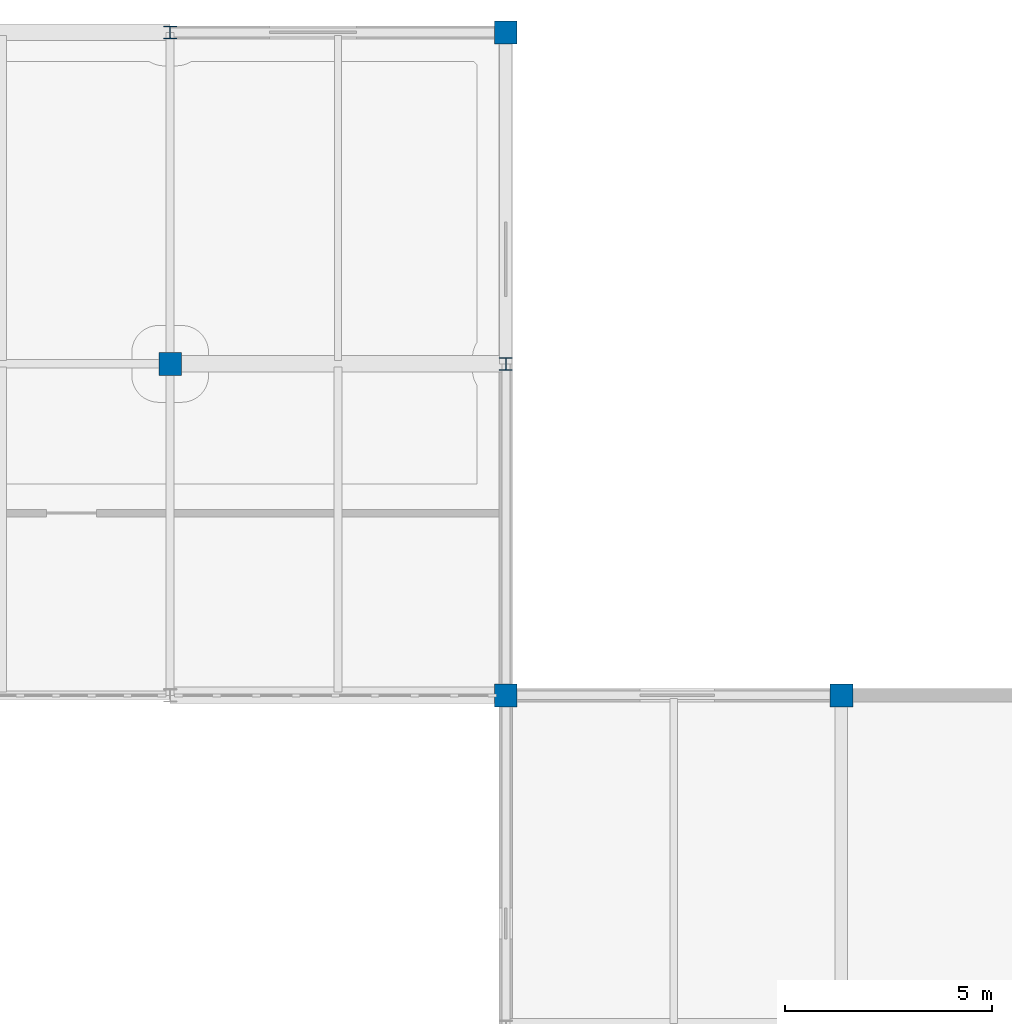
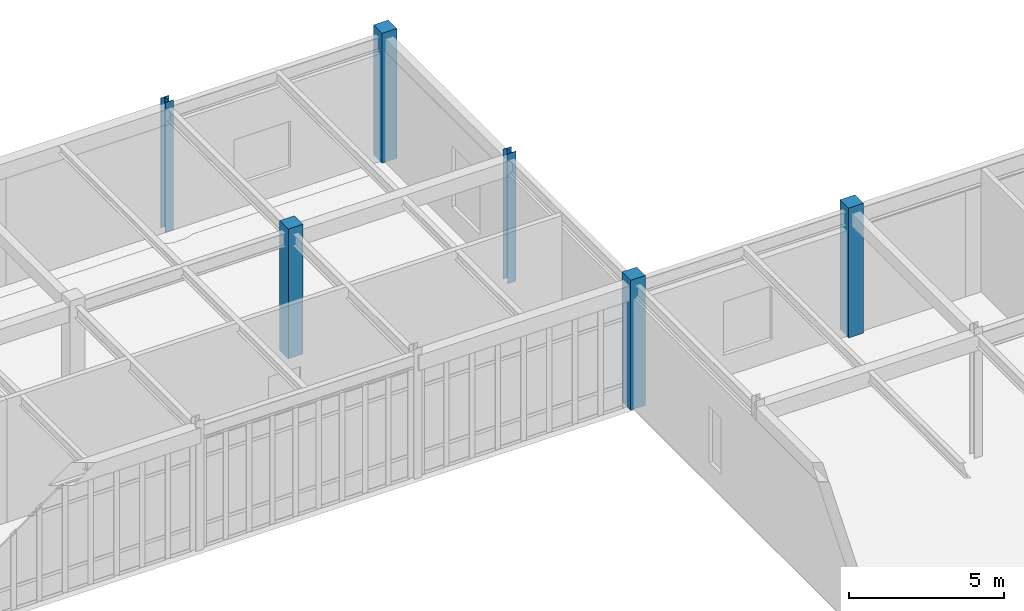
# One storey, part 12 of 107: 6 columns.
"""IFC4 building model written with IfcOpenShell, lengths in metres."""

from ifc_helpers import new_model, si_unit, direction, frame, origin, origin_2d, place, context, subcontext, project, spatial, rectangle, i_section, extrude, material, material_profile, profile_set, type_object, element, save


model = new_model("IFC4")

# Units and contexts
model_context = context("Model", 3, precision=1e-05, world=origin(), true_north=direction((0.0, 1.0)))
body_context = subcontext(model_context, "Body", "Model", "MODEL_VIEW")
ifc_project = project(units=[si_unit("LENGTHUNIT", "METRE"), si_unit("AREAUNIT", "SQUARE_METRE"), si_unit("VOLUMEUNIT", "CUBIC_METRE"), si_unit("PLANEANGLEUNIT", "RADIAN"), si_unit("MASSUNIT", "GRAM", prefix="KILO")], contexts=[model_context])

# Site, building, storey
site_placement = place(None, origin())
site = spatial("IfcSite", under=ifc_project, at=site_placement, CompositionType="ELEMENT")
building_placement = place(site_placement, origin())
building = spatial("IfcBuilding", under=site, at=building_placement, Name="Tarnveldt Square Police Headquarters", CompositionType="ELEMENT")
storey_placement = place(building_placement, frame((0.0, 0.0, 14.699951171875)))
storey = spatial("IfcBuildingStorey", under=building, at=storey_placement, Name="L03", CompositionType="ELEMENT", Elevation=14.699951171875)

# Columns
ifc_material_1 = material(Name="Concrete 40 MPa", Category="concrete")
ifc_material_profile_1 = material_profile(ifc_material_1, rectangle(XDim=0.550048828125, YDim=0.550048828125, at=origin_2d()), Name="RC-C550x550")
ifc_profile_set_1 = profile_set([ifc_material_profile_1], Name="Concrete 40 MPa")
column_type_1 = type_object("IfcColumnType", Name="COL-RC550", PredefinedType="COLUMN", material=ifc_profile_set_1)
for number, where, z_axis, x_axis, name in (
    (1, (97.199951171875, 104.0, 0.0), (0.0, 0.0, 1.0), (1.0, 0.0, 0.0), "L03 Column 140"),
    (2, (105.300048828125, 96.0, 0.0), (0.0, 0.0, 1.0), (1.0, 0.0, 0.0), "L03 Column 150"),
    (3, (105.300048828125, 112.0, 0.0), (0.0, 0.0, 1.0), (1.0, 0.0, 0.0), "L03 Column 152"),
    (4, (113.39990234375, 96.0, 0.0), (0.0, 0.0, 1.0), (1.0, 0.0, 0.0), "L03 Column 160"),
):
    element("IfcColumn", number, at=place(storey_placement, frame(where, z_axis=z_axis, x_axis=x_axis)), inside=storey, type_object=column_type_1, Name=name, PredefinedType="COLUMN", context=body_context, shape_type="SweptSolid", body=[
        extrude(rectangle(XDim=0.550048828125, YDim=0.550048828125, at=origin_2d()), origin(), (0.0, 0.0, 1.0), 5.10009765625),
    ])
ifc_material_2 = material(Name="Steel 350W", Category="steel")
ifc_material_profile_2 = material_profile(ifc_material_2, i_section(OverallWidth=0.304931640625, OverallDepth=0.30810546875, WebThickness=0.010009765625, FlangeThickness=0.015380859375, FilletRadius=0.014892578125, at=origin_2d()), Name="W310x97")
ifc_profile_set_2 = profile_set([ifc_material_profile_2], Name="Steel 350W")
column_type_2 = type_object("IfcColumnType", Name="COL-W310x97", PredefinedType="COLUMN", material=ifc_profile_set_2)
for number, where, z_axis, x_axis, name in (
    (5, (97.199951171875, 112.0, 0.0), (0.0, 0.0, 1.0), (1.0, 0.0, 0.0), "L03 Column 141"),
    (6, (105.300048828125, 104.0, 0.0), (0.0, 0.0, 1.0), (1.0, 0.0, 0.0), "L03 Column 151"),
):
    element("IfcColumn", number, at=place(storey_placement, frame(where, z_axis=z_axis, x_axis=x_axis)), inside=storey, type_object=column_type_2, Name=name, PredefinedType="COLUMN", context=body_context, shape_type="SweptSolid", body=[
        extrude(i_section(OverallWidth=0.304931640625, OverallDepth=0.30810546875, WebThickness=0.010009765625, FlangeThickness=0.015380859375, FilletRadius=0.014892578125, at=origin_2d()), origin(), (0.0, 0.0, 1.0), 5.10009765625),
    ])

save(model, "model.ifc")
